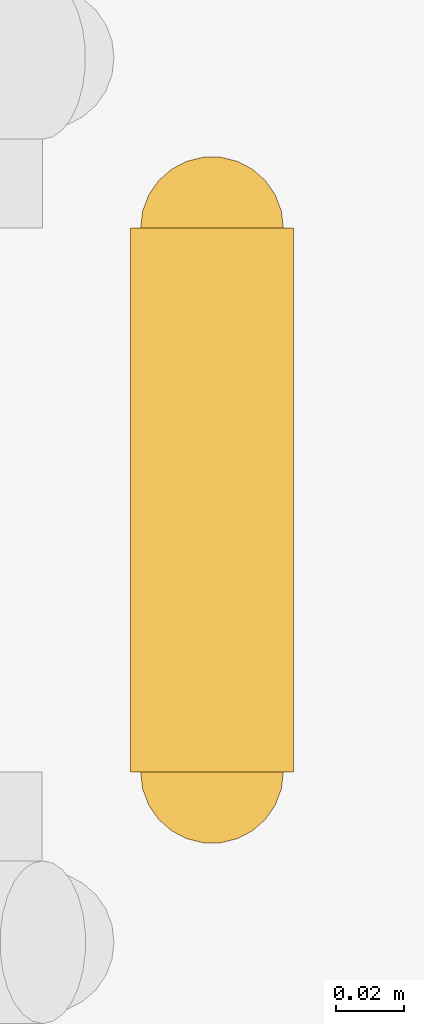
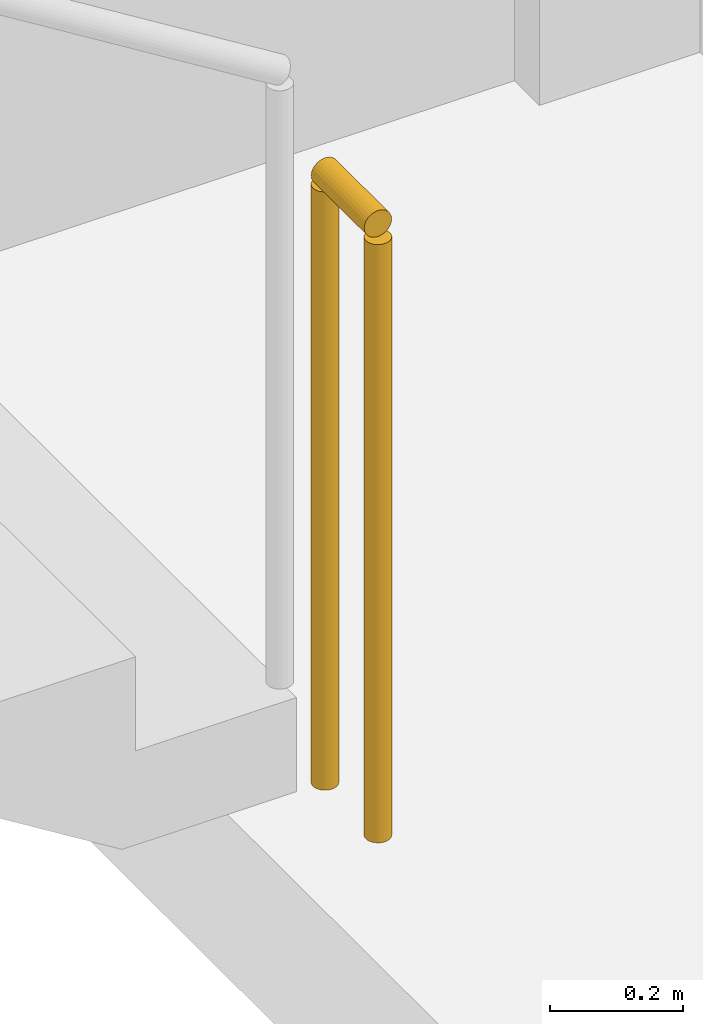
# One storey, part 18 of 20: 1 railing.
"""IFC4 building model written with IfcOpenShell, lengths in metres."""

from ifc_helpers import new_model, si_unit, direction, frame, origin, origin_2d, place, context, subcontext, project, spatial, circle, extrude, material, type_object, element, save


model = new_model("IFC4")

# Units and contexts
model_context = context("Model", 3, precision=1e-05, world=origin(), true_north=direction((0.0, 1.0)))
body_context = subcontext(model_context, "Body", "Model", "MODEL_VIEW")
ifc_project = project(units=[si_unit("LENGTHUNIT", "METRE"), si_unit("AREAUNIT", "SQUARE_METRE"), si_unit("VOLUMEUNIT", "CUBIC_METRE"), si_unit("PLANEANGLEUNIT", "RADIAN"), si_unit("MASSUNIT", "GRAM", prefix="KILO")], contexts=[model_context])

# Site, building, storey
site_placement = place(None, origin())
site = spatial("IfcSite", under=ifc_project, at=site_placement, CompositionType="ELEMENT")
building_placement = place(site_placement, origin())
building = spatial("IfcBuilding", under=site, at=building_placement, Name="Drelvath Grand Hotel", CompositionType="ELEMENT")
storey_placement = place(building_placement, frame((0.0, 0.0, 5.60009765625)))
storey = spatial("IfcBuildingStorey", under=building, at=storey_placement, Name="L01", CompositionType="ELEMENT", Elevation=5.60009765625)

# Railing
ifc_material = material(Name="Painted Steel S275", Category="steel")
railing_type = type_object("IfcRailingType", Name="Core Stair Well Guardrail 1100", PredefinedType="GUARDRAIL", material=ifc_material)
railing_placement = place(storey_placement, frame((6.64990234375, 26.679931640625, 0.0)))
element("IfcRailing", 1, at=railing_placement, inside=storey, type_object=railing_type, Name="L01 ST-2 stair guard 4", PredefinedType="GUARDRAIL", context=body_context, shape_type="SweptSolid", body=[
    extrude(circle(Radius=0.02392578125, at=origin_2d()), frame((0.0, 0.0, 1.1259765625), z_axis=(0.0, -1.0, 0.0), x_axis=(1.0, 0.0, 0.0)), (0.0, 0.0, 1.0), 0.159912109375),
    extrude(circle(Radius=0.02099609375, at=origin_2d()), origin(), (0.0, 0.0, 1.0), 1.101806640625),
    extrude(circle(Radius=0.02099609375, at=origin_2d()), frame((0.0, -0.159912109375, 0.0)), (0.0, 0.0, 1.0), 1.101806640625),
])

save(model, "model.ifc")
